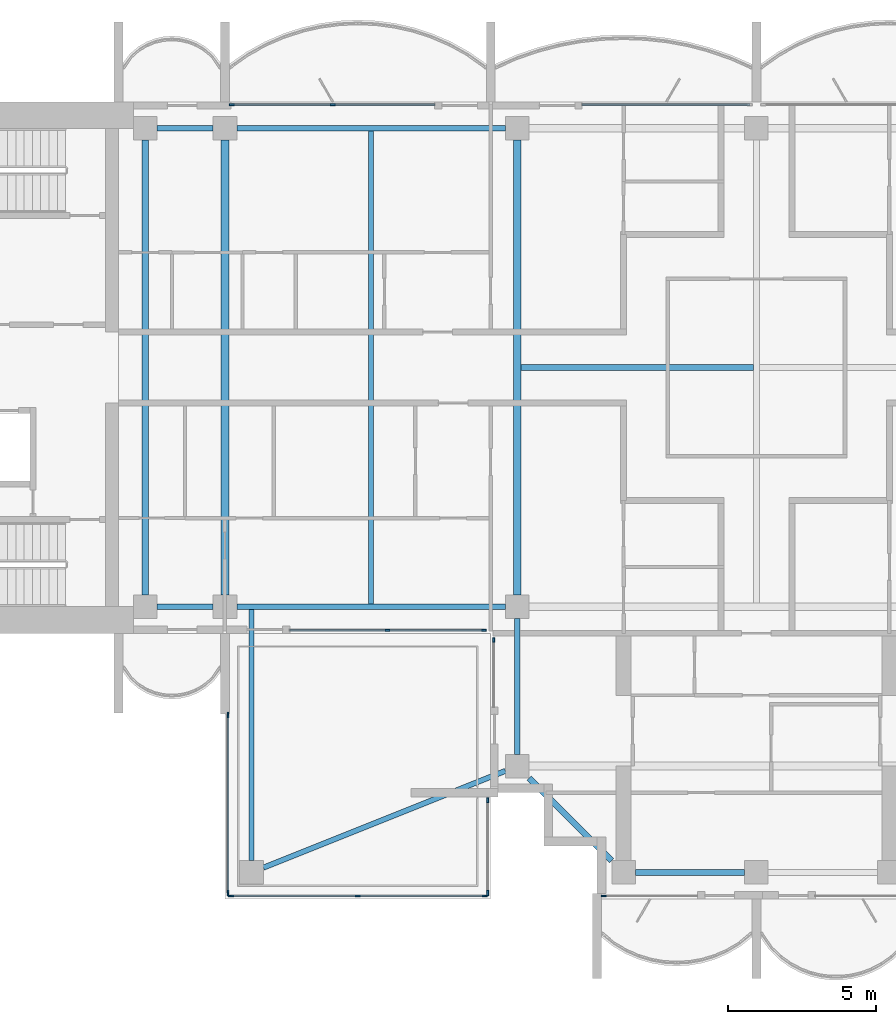
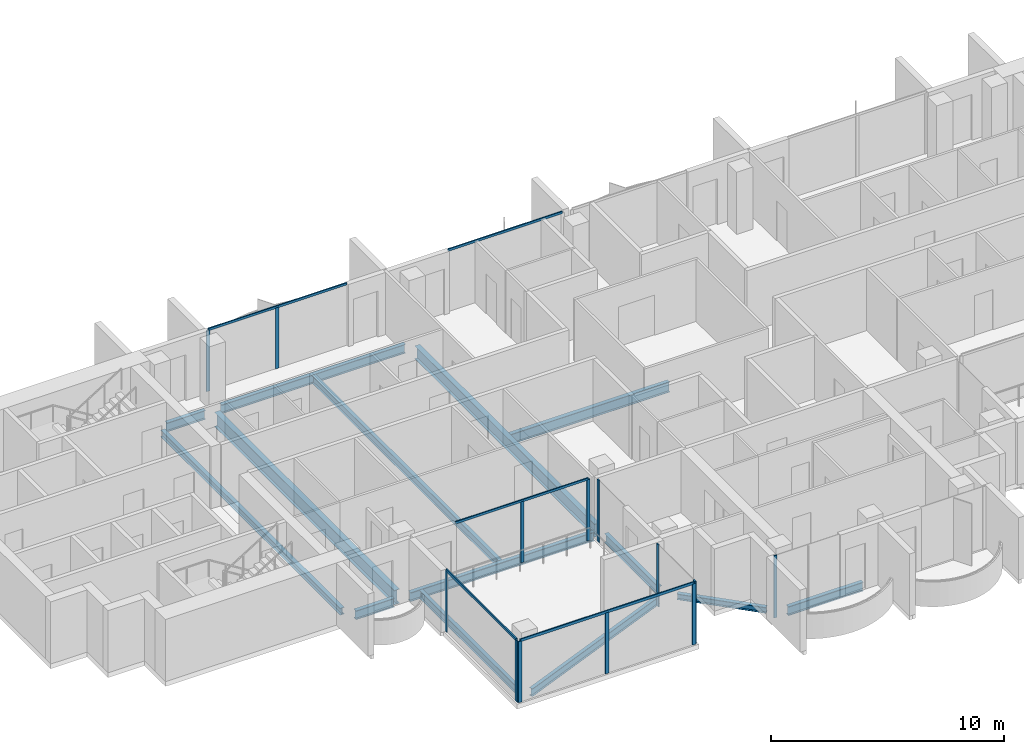
# One storey, part 2 of 16: 18 members, 14 beams, 8 elements without a shape of their own.
"""IFC4 building model written with IfcOpenShell, lengths in metres."""

from ifc_helpers import new_model, si_unit, direction, frame, origin, origin_2d, place, context, subcontext, project, spatial, rectangle, i_section, extrude, material, material_profile, profile_set, type_object, element, aggregate, save


model = new_model("IFC4")

# Units and contexts
model_context = context("Model", 3, precision=1e-05, world=origin(), true_north=direction((0.0, 1.0)))
body_context = subcontext(model_context, "Body", "Model", "MODEL_VIEW")
ifc_project = project(units=[si_unit("LENGTHUNIT", "METRE"), si_unit("AREAUNIT", "SQUARE_METRE"), si_unit("VOLUMEUNIT", "CUBIC_METRE"), si_unit("PLANEANGLEUNIT", "RADIAN"), si_unit("MASSUNIT", "GRAM", prefix="KILO")], contexts=[model_context])

# Site, building, storey
site_placement = place(None, origin())
site = spatial("IfcSite", under=ifc_project, at=site_placement, CompositionType="ELEMENT")
building_placement = place(site_placement, origin())
building = spatial("IfcBuilding", under=site, at=building_placement, Name="Perihelion Cross Residences", CompositionType="ELEMENT")
storey_placement = place(building_placement, frame((0.0, 0.0, 246.5)))
storey = spatial("IfcBuildingStorey", under=building, at=storey_placement, Name="L62", CompositionType="ELEMENT", Elevation=246.5)

# Curtain wall, members
ifc_material_1 = material(Name="Bronze anodised aluminium, tinted glazing", Category="aluminium")
curtain_wall_type_1 = type_object("IfcCurtainWallType", Name="CW1", PredefinedType="NOTDEFINED", material=ifc_material_1)
curtain_wall_1_placement = place(storey_placement, origin())
curtain_wall_1 = element("IfcCurtainWall", 1, at=curtain_wall_1_placement, inside=storey, type_object=curtain_wall_type_1, Name="Curtain wall CW1 L62 west side north bay 1", PredefinedType="NOTDEFINED")
ifc_material_2 = material(Name="Bronze anodised aluminium", Category="aluminium")
ifc_material_profile_1 = material_profile(ifc_material_2, rectangle(XDim=0.06005859375, YDim=0.159912109375, at=origin_2d()), Name="CW1 mullion")
ifc_profile_set_1 = profile_set([ifc_material_profile_1], Name="Bronze anodised aluminium")
member_type_1 = type_object("IfcMemberType", Name="CW1 mullion", PredefinedType="MULLION", material=ifc_profile_set_1)
member_1_placement = place(storey_placement, frame((-14.35009765625, 8.89990234375, 0.0), z_axis=(0.0, 0.0, 1.0), x_axis=(0.0, -1.0, 0.0)))
member_1 = element("IfcMember", 2, at=member_1_placement, type_object=member_type_1, Name="CW1 mullion 2", PredefinedType="MULLION", context=body_context, shape_type="SweptSolid", body=[
    extrude(rectangle(XDim=0.06005859375, YDim=0.159912109375, at=origin_2d()), origin(), (0.0, 0.0, 1.0), 3.18994140625),
])
member_2_placement = place(storey_placement, frame((-17.77001953125, 8.89990234375, 0.0), z_axis=(0.0, 0.0, 1.0), x_axis=(0.0, -1.0, 0.0)))
member_2 = element("IfcMember", 3, at=member_2_placement, type_object=member_type_1, Name="CW1 mullion 3", PredefinedType="MULLION", context=body_context, shape_type="SweptSolid", body=[
    extrude(rectangle(XDim=0.06005859375, YDim=0.159912109375, at=origin_2d()), origin(), (0.0, 0.0, 1.0), 3.18994140625),
])

curtain_wall_2_placement = place(storey_placement, origin())
curtain_wall_2 = element("IfcCurtainWall", 4, at=curtain_wall_2_placement, inside=storey, type_object=curtain_wall_type_1, Name="Curtain wall CW1 L62 west side south bay 2", PredefinedType="NOTDEFINED")
member_3_placement = place(storey_placement, frame((-12.5, -8.89990234375, 0.0), z_axis=(0.0, 0.0, 1.0), x_axis=(0.0, 1.0, 0.0)))
member_3 = element("IfcMember", 5, at=member_3_placement, type_object=member_type_1, Name="CW1 mullion 2", PredefinedType="MULLION", context=body_context, shape_type="SweptSolid", body=[
    extrude(rectangle(XDim=0.06005859375, YDim=0.159912109375, at=origin_2d()), origin(), (0.0, 0.0, 1.0), 3.18994140625),
])
member_4_placement = place(storey_placement, frame((-9.22998046875, -8.89990234375, 0.0), z_axis=(0.0, 0.0, 1.0), x_axis=(0.0, 1.0, 0.0)))
member_4 = element("IfcMember", 6, at=member_4_placement, type_object=member_type_1, Name="CW1 mullion 3", PredefinedType="MULLION", context=body_context, shape_type="SweptSolid", body=[
    extrude(rectangle(XDim=0.06005859375, YDim=0.159912109375, at=origin_2d()), origin(), (0.0, 0.0, 1.0), 3.18994140625),
])

# Curtain wall, member
curtain_wall_3_placement = place(storey_placement, origin())
curtain_wall_3 = element("IfcCurtainWall", 7, at=curtain_wall_3_placement, inside=storey, type_object=curtain_wall_type_1, Name="Curtain wall CW1 L62 south side west bay 1", PredefinedType="NOTDEFINED")
member_5_placement = place(storey_placement, frame((-8.89990234375, -9.22998046875, 0.0), z_axis=(0.0, 0.0, 1.0), x_axis=(1.0, 0.0, 0.0)))
member_5 = element("IfcMember", 8, at=member_5_placement, type_object=member_type_1, Name="CW1 mullion 1", PredefinedType="MULLION", context=body_context, shape_type="SweptSolid", body=[
    extrude(rectangle(XDim=0.06005859375, YDim=0.159912109375, at=origin_2d()), origin(), (0.0, 0.0, 1.0), 3.25),
])
aggregate(curtain_wall_3, [member_5])

curtain_wall_4_placement = place(storey_placement, origin())
curtain_wall_4 = element("IfcCurtainWall", 9, at=curtain_wall_4_placement, inside=storey, type_object=curtain_wall_type_1, Name="Curtain wall CW1 L62 south tip south bay 1", PredefinedType="NOTDEFINED")
member_6_placement = place(storey_placement, frame((-5.169921875, -17.89990234375, 0.0), z_axis=(0.0, 0.0, 1.0), x_axis=(0.0, 1.0, 0.0)))
member_6 = element("IfcMember", 10, at=member_6_placement, type_object=member_type_1, Name="CW1 mullion 1", PredefinedType="MULLION", context=body_context, shape_type="SweptSolid", body=[
    extrude(rectangle(XDim=0.06005859375, YDim=0.159912109375, at=origin_2d()), origin(), (0.0, 0.0, 1.0), 3.25),
])
aggregate(curtain_wall_4, [member_6])

curtain_wall_5_placement = place(storey_placement, origin())
curtain_wall_5 = element("IfcCurtainWall", 11, at=curtain_wall_5_placement, inside=storey, type_object=curtain_wall_type_1, Name="Curtain wall CW1 L62 north side east bay 2", PredefinedType="NOTDEFINED")
ifc_material_3 = material(Name="Bronze anodised aluminium", Category="aluminium")
ifc_material_profile_2 = material_profile(ifc_material_3, rectangle(XDim=0.06005859375, YDim=0.1201171875, at=origin_2d()), Name="CW1 transom")
ifc_profile_set_2 = profile_set([ifc_material_profile_2], Name="Bronze anodised aluminium")
member_type_2 = type_object("IfcMemberType", Name="CW1 transom", PredefinedType="USERDEFINED", material=ifc_profile_set_2)
member_7_placement = place(storey_placement, frame((-0.22998046875, 8.89990234375, 3.219970703125), z_axis=(-1.0, 0.0, 0.0), x_axis=(0.0, -1.0, 0.0)))
member_7 = element("IfcMember", 12, at=member_7_placement, type_object=member_type_2, Name="CW1 head transom", ObjectType="TRANSOM", PredefinedType="USERDEFINED", context=body_context, shape_type="SweptSolid", body=[
    extrude(rectangle(XDim=0.06005859375, YDim=0.1201171875, at=origin_2d()), origin(), (0.0, 0.0, 1.0), 5.669921875),
])
aggregate(curtain_wall_5, [member_7])

# Member
member_8_placement = place(storey_placement, frame((-10.89990234375, 8.89990234375, 3.219970703125), z_axis=(-1.0, 0.0, 0.0), x_axis=(0.0, -1.0, 0.0)))
member_8 = element("IfcMember", 13, at=member_8_placement, type_object=member_type_2, Name="CW1 head transom", ObjectType="TRANSOM", PredefinedType="USERDEFINED", context=body_context, shape_type="SweptSolid", body=[
    extrude(rectangle(XDim=0.06005859375, YDim=0.1201171875, at=origin_2d()), origin(), (0.0, 0.0, 1.0), 6.8701171875),
])

aggregate(curtain_wall_1, [member_1, member_2, member_8])

member_9_placement = place(storey_placement, frame((-15.800048828125, -8.89990234375, 3.219970703125), z_axis=(1.0, 0.0, 0.0), x_axis=(0.0, 1.0, 0.0)))
member_9 = element("IfcMember", 14, at=member_9_placement, type_object=member_type_2, Name="CW1 head transom", ObjectType="TRANSOM", PredefinedType="USERDEFINED", context=body_context, shape_type="SweptSolid", body=[
    extrude(rectangle(XDim=0.06005859375, YDim=0.1201171875, at=origin_2d()), origin(), (0.0, 0.0, 1.0), 6.570068359375),
])

aggregate(curtain_wall_2, [member_3, member_4, member_9])

# Curtain wall, members
ifc_material_4 = material(Name="Bronze anodised aluminium, tinted glazing", Category="aluminium")
curtain_wall_type_2 = type_object("IfcCurtainWallType", Name="CW4", PredefinedType="NOTDEFINED", material=ifc_material_4)
curtain_wall_6_placement = place(storey_placement, origin())
curtain_wall_6 = element("IfcCurtainWall", 15, at=curtain_wall_6_placement, inside=storey, type_object=curtain_wall_type_2, Name="Curtain wall CW4 L62 pocket south-west 1 1", PredefinedType="NOTDEFINED")
ifc_material_5 = material(Name="Bronze anodised aluminium", Category="aluminium")
ifc_material_profile_3 = material_profile(ifc_material_5, rectangle(XDim=0.06005859375, YDim=0.179931640625, at=origin_2d()), Name="CW4 mullion")
ifc_profile_set_3 = profile_set([ifc_material_profile_3], Name="Bronze anodised aluminium")
member_type_3 = type_object("IfcMemberType", Name="CW4 mullion", PredefinedType="MULLION", material=ifc_profile_set_3)
member_10_placement = place(storey_placement, frame((-9.10009765625, -14.658935546875, 0.0), z_axis=(0.0, 0.0, 1.0), x_axis=(1.0, 0.0, 0.0)))
member_10 = element("IfcMember", 16, at=member_10_placement, type_object=member_type_3, Name="CW4 mullion 1", PredefinedType="MULLION", context=body_context, shape_type="SweptSolid", body=[
    extrude(rectangle(XDim=0.06005859375, YDim=0.179931640625, at=origin_2d()), origin(), (0.0, 0.0, 1.0), 3.25),
])
member_11_placement = place(storey_placement, frame((-9.10009765625, -17.800048828125, 0.0), z_axis=(0.0, 0.0, 1.0), x_axis=(1.0, 0.0, 0.0)))
member_11 = element("IfcMember", 17, at=member_11_placement, type_object=member_type_3, Name="CW4 mullion 2", PredefinedType="MULLION", context=body_context, shape_type="SweptSolid", body=[
    extrude(rectangle(XDim=0.06005859375, YDim=0.179931640625, at=origin_2d()), origin(), (0.0, 0.0, 1.0), 3.25),
])
aggregate(curtain_wall_6, [member_10, member_11])

curtain_wall_7_placement = place(storey_placement, origin())
curtain_wall_7 = element("IfcCurtainWall", 18, at=curtain_wall_7_placement, inside=storey, type_object=curtain_wall_type_2, Name="Curtain wall CW4 L62 pocket south-west 1 2", PredefinedType="NOTDEFINED")
member_12_placement = place(storey_placement, frame((-9.199951171875, -17.89990234375, 0.0), z_axis=(0.0, 0.0, 1.0), x_axis=(0.0, -1.0, 0.0)))
member_12 = element("IfcMember", 19, at=member_12_placement, type_object=member_type_3, Name="CW4 mullion 1", PredefinedType="MULLION", context=body_context, shape_type="SweptSolid", body=[
    extrude(rectangle(XDim=0.06005859375, YDim=0.179931640625, at=origin_2d()), origin(), (0.0, 0.0, 1.0), 3.18994140625),
])
member_13_placement = place(storey_placement, frame((-13.5, -17.89990234375, 0.0), z_axis=(0.0, 0.0, 1.0), x_axis=(0.0, -1.0, 0.0)))
member_13 = element("IfcMember", 20, at=member_13_placement, type_object=member_type_3, Name="CW4 mullion 2", PredefinedType="MULLION", context=body_context, shape_type="SweptSolid", body=[
    extrude(rectangle(XDim=0.06005859375, YDim=0.179931640625, at=origin_2d()), origin(), (0.0, 0.0, 1.0), 3.18994140625),
])
member_14_placement = place(storey_placement, frame((-17.800048828125, -17.89990234375, 0.0), z_axis=(0.0, 0.0, 1.0), x_axis=(0.0, -1.0, 0.0)))
member_14 = element("IfcMember", 21, at=member_14_placement, type_object=member_type_3, Name="CW4 mullion 3", PredefinedType="MULLION", context=body_context, shape_type="SweptSolid", body=[
    extrude(rectangle(XDim=0.06005859375, YDim=0.179931640625, at=origin_2d()), origin(), (0.0, 0.0, 1.0), 3.18994140625),
])

curtain_wall_8_placement = place(storey_placement, origin())
curtain_wall_8 = element("IfcCurtainWall", 22, at=curtain_wall_8_placement, inside=storey, type_object=curtain_wall_type_2, Name="Curtain wall CW4 L62 pocket south-west 1 3", PredefinedType="NOTDEFINED")
member_15_placement = place(storey_placement, frame((-17.89990234375, -17.800048828125, 0.0), z_axis=(0.0, 0.0, 1.0), x_axis=(-1.0, 0.0, 0.0)))
member_15 = element("IfcMember", 23, at=member_15_placement, type_object=member_type_3, Name="CW4 mullion 1", PredefinedType="MULLION", context=body_context, shape_type="SweptSolid", body=[
    extrude(rectangle(XDim=0.06005859375, YDim=0.179931640625, at=origin_2d()), origin(), (0.0, 0.0, 1.0), 3.18994140625),
])
member_16_placement = place(storey_placement, frame((-17.89990234375, -11.77001953125, 0.0), z_axis=(0.0, 0.0, 1.0), x_axis=(-1.0, 0.0, 0.0)))
member_16 = element("IfcMember", 24, at=member_16_placement, type_object=member_type_3, Name="CW4 mullion 2", PredefinedType="MULLION", context=body_context, shape_type="SweptSolid", body=[
    extrude(rectangle(XDim=0.06005859375, YDim=0.179931640625, at=origin_2d()), origin(), (0.0, 0.0, 1.0), 3.18994140625),
])

# Member
ifc_material_6 = material(Name="Bronze anodised aluminium", Category="aluminium")
ifc_material_profile_4 = material_profile(ifc_material_6, rectangle(XDim=0.06005859375, YDim=0.139892578125, at=origin_2d()), Name="CW4 transom")
ifc_profile_set_4 = profile_set([ifc_material_profile_4], Name="Bronze anodised aluminium")
member_type_4 = type_object("IfcMemberType", Name="CW4 transom", PredefinedType="USERDEFINED", material=ifc_profile_set_4)
member_17_placement = place(storey_placement, frame((-9.199951171875, -17.89990234375, 3.219970703125), z_axis=(-1.0, 0.0, 0.0), x_axis=(0.0, -1.0, 0.0)))
member_17 = element("IfcMember", 25, at=member_17_placement, type_object=member_type_4, Name="CW4 head transom", ObjectType="TRANSOM", PredefinedType="USERDEFINED", context=body_context, shape_type="SweptSolid", body=[
    extrude(rectangle(XDim=0.06005859375, YDim=0.139892578125, at=origin_2d()), origin(), (0.0, 0.0, 1.0), 8.60009765625),
])

aggregate(curtain_wall_7, [member_12, member_13, member_14, member_17])

member_18_placement = place(storey_placement, frame((-17.89990234375, -17.800048828125, 3.219970703125), z_axis=(0.0, 1.0, 0.0), x_axis=(-1.0, 0.0, 0.0)))
member_18 = element("IfcMember", 26, at=member_18_placement, type_object=member_type_4, Name="CW4 head transom", ObjectType="TRANSOM", PredefinedType="USERDEFINED", context=body_context, shape_type="SweptSolid", body=[
    extrude(rectangle(XDim=0.06005859375, YDim=0.139892578125, at=origin_2d()), origin(), (0.0, 0.0, 1.0), 6.030029296875),
])

aggregate(curtain_wall_8, [member_15, member_16, member_18])

# Beams
ifc_material_7 = material(Name="Steel S355", Category="steel")
ifc_material_profile_5 = material_profile(ifc_material_7, i_section(OverallWidth=0.205078125, OverallDepth=0.35302734375, WebThickness=0.009521484375, FlangeThickness=0.016845703125, at=origin_2d()), Name="W360x79")
ifc_profile_set_5 = profile_set([ifc_material_profile_5], Name="Steel S355")
beam_type_1 = type_object("IfcBeamType", Name="Core edge beam W360x79", PredefinedType="BEAM", material=ifc_profile_set_5)
beam_1_placement = place(storey_placement, frame((-20.699951171875, -7.699951171875, -0.426513671875), z_axis=(0.0, 1.0, 0.0), x_axis=(-1.0, 0.0, 0.0)))
element("IfcBeam", 27, at=beam_1_placement, inside=storey, type_object=beam_type_1, Name="Core edge beam TB7 L62 no. 1", PredefinedType="BEAM", context=body_context, shape_type="SweptSolid", body=[
    extrude(i_section(OverallWidth=0.205078125, OverallDepth=0.35302734375, WebThickness=0.009521484375, FlangeThickness=0.016845703125, at=origin_2d()), origin(), (0.0, 0.0, 1.0), 15.39990234375),
])
ifc_material_8 = material(Name="Steel S355", Category="steel")
ifc_material_profile_6 = material_profile(ifc_material_8, i_section(OverallWidth=0.177978515625, OverallDepth=0.406005859375, WebThickness=0.0078125, FlangeThickness=0.0126953125, at=origin_2d()), Name="W410x60")
ifc_profile_set_6 = profile_set([ifc_material_profile_6], Name="Steel S355")
beam_type_2 = type_object("IfcBeamType", Name="Core edge beam W410x60", PredefinedType="BEAM", material=ifc_profile_set_6)
beam_2_placement = place(storey_placement, frame((-17.10009765625, -8.197021484375, -0.452880859375), z_axis=(0.0, -1.0, 0.0), x_axis=(1.0, 0.0, 0.0)))
element("IfcBeam", 28, at=beam_2_placement, inside=storey, type_object=beam_type_2, Name="Core edge beam TB2 L62 corner no. 1", PredefinedType="BEAM", context=body_context, shape_type="SweptSolid", body=[
    extrude(i_section(OverallWidth=0.177978515625, OverallDepth=0.406005859375, WebThickness=0.0078125, FlangeThickness=0.0126953125, at=origin_2d()), origin(), (0.0, 0.0, 1.0), 8.5029296875),
])
beam_3_placement = place(storey_placement, frame((-8.5, -13.659912109375, -0.452880859375), z_axis=(-0.928474784399, -0.371395442534, 0.0), x_axis=(0.371395442534, -0.928474784399, 0.0)))
element("IfcBeam", 29, at=beam_3_placement, inside=storey, type_object=beam_type_2, Name="Core edge beam TB2 L62 corner no. 2", PredefinedType="BEAM", context=body_context, shape_type="SweptSolid", body=[
    extrude(i_section(OverallWidth=0.177978515625, OverallDepth=0.406005859375, WebThickness=0.0078125, FlangeThickness=0.0126953125, at=origin_2d()), origin(), (0.0, 0.0, 1.0), 8.83154296875),
])
ifc_material_9 = material(Name="Steel S355", Category="steel")
ifc_material_profile_7 = material_profile(ifc_material_9, i_section(OverallWidth=0.194091796875, OverallDepth=0.469970703125, WebThickness=0.0126953125, FlangeThickness=0.0205078125, at=origin_2d()), Name="W460x106")
ifc_profile_set_7 = profile_set([ifc_material_profile_7], Name="Steel S355")
beam_type_3 = type_object("IfcBeamType", Name="Edge beam W460x106", PredefinedType="SPANDREL", material=ifc_profile_set_7)
beam_4_placement = place(storey_placement, frame((-8.5, 8.10009765625, -0.485107421875), z_axis=(-1.0, 0.0, 0.0), x_axis=(0.0, -1.0, 0.0)))
element("IfcBeam", 30, at=beam_4_placement, inside=storey, type_object=beam_type_3, Name="Edge beam SB5 L62 no. 6", PredefinedType="SPANDREL", context=body_context, shape_type="SweptSolid", body=[
    extrude(i_section(OverallWidth=0.194091796875, OverallDepth=0.469970703125, WebThickness=0.0126953125, FlangeThickness=0.0205078125, at=origin_2d()), origin(), (0.0, 0.0, 1.0), 9.10009765625),
])
for number, where, z_axis, x_axis, name in (
    (31, (-18.39990234375, 8.10009765625, -0.485107421875), (-1.0, 0.0, 0.0), (0.0, -1.0, 0.0), "Edge beam SB5 L62 no. 2"),
    (32, (-20.300048828125, -8.10009765625, -0.485107421875), (1.0, 0.0, 0.0), (0.0, 1.0, 0.0), "Edge beam SB5 L62 no. 3"),
):
    element("IfcBeam", number, at=place(storey_placement, frame(where, z_axis=z_axis, x_axis=x_axis)), inside=storey, type_object=beam_type_3, Name=name, PredefinedType="SPANDREL", context=body_context, shape_type="SweptSolid", body=[
        extrude(i_section(OverallWidth=0.194091796875, OverallDepth=0.469970703125, WebThickness=0.0126953125, FlangeThickness=0.0205078125, at=origin_2d()), origin(), (0.0, 0.0, 1.0), 1.900146484375),
    ])
beam_5_placement = place(storey_placement, frame((-17.60009765625, -8.10009765625, -0.485107421875), z_axis=(1.0, 0.0, 0.0), x_axis=(0.0, 1.0, 0.0)))
element("IfcBeam", 33, at=beam_5_placement, inside=storey, type_object=beam_type_3, Name="Edge beam SB5 L62 no. 1", PredefinedType="SPANDREL", context=body_context, shape_type="SweptSolid", body=[
    extrude(i_section(OverallWidth=0.194091796875, OverallDepth=0.469970703125, WebThickness=0.0126953125, FlangeThickness=0.0205078125, at=origin_2d()), origin(), (0.0, 0.0, 1.0), 9.10009765625),
])
beam_6_placement = place(storey_placement, frame((-8.10009765625, -8.5, -0.485107421875), z_axis=(0.0, -1.0, 0.0), x_axis=(1.0, 0.0, 0.0)))
element("IfcBeam", 34, at=beam_6_placement, inside=storey, type_object=beam_type_3, Name="Edge beam SB5 L62 no. 5", PredefinedType="SPANDREL", context=body_context, shape_type="SweptSolid", body=[
    extrude(i_section(OverallWidth=0.194091796875, OverallDepth=0.469970703125, WebThickness=0.0126953125, FlangeThickness=0.0205078125, at=origin_2d()), origin(), (0.0, 0.0, 1.0), 4.60009765625),
])
beam_7_placement = place(storey_placement, frame((-4.10009765625, -17.10009765625, -0.485107421875), z_axis=(1.0, 0.0, 0.0), x_axis=(0.0, 1.0, 0.0)))
element("IfcBeam", 35, at=beam_7_placement, inside=storey, type_object=beam_type_3, Name="Edge beam SB5 L62 no. 4", PredefinedType="SPANDREL", context=body_context, shape_type="SweptSolid", body=[
    extrude(i_section(OverallWidth=0.194091796875, OverallDepth=0.469970703125, WebThickness=0.0126953125, FlangeThickness=0.0205078125, at=origin_2d()), origin(), (0.0, 0.0, 1.0), 3.7001953125),
])
ifc_material_10 = material(Name="Steel S355", Category="steel")
ifc_material_profile_8 = material_profile(ifc_material_10, i_section(OverallWidth=0.26708984375, OverallDepth=0.75390625, WebThickness=0.01318359375, FlangeThickness=0.01708984375, at=origin_2d()), Name="W760x147")
ifc_profile_set_8 = profile_set([ifc_material_profile_8], Name="Steel S355")
beam_type_4 = type_object("IfcBeamType", Name="Floor girder W760x147", PredefinedType="BEAM", material=ifc_profile_set_8)
beam_8_placement = place(storey_placement, frame((-18.0, -7.699951171875, -0.626953125), z_axis=(0.0, 1.0, 0.0), x_axis=(-1.0, 0.0, 0.0)))
element("IfcBeam", 36, at=beam_8_placement, inside=storey, type_object=beam_type_4, Name="Girder G5 L62 no. 1", PredefinedType="BEAM", context=body_context, shape_type="SweptSolid", body=[
    extrude(i_section(OverallWidth=0.26708984375, OverallDepth=0.75390625, WebThickness=0.01318359375, FlangeThickness=0.01708984375, at=origin_2d()), origin(), (0.0, 0.0, 1.0), 15.39990234375),
])
ifc_material_11 = material(Name="Steel S355", Category="steel")
ifc_material_profile_9 = material_profile(ifc_material_11, i_section(OverallWidth=0.177978515625, OverallDepth=0.406005859375, WebThickness=0.0078125, FlangeThickness=0.0126953125, at=origin_2d()), Name="W410x60")
ifc_profile_set_9 = profile_set([ifc_material_profile_9], Name="Steel S355")
beam_type_5 = type_object("IfcBeamType", Name="Floor joist W410x60", PredefinedType="JOIST", material=ifc_profile_set_9)
beam_9_placement = place(storey_placement, frame((-13.050048828125, -8.0029296875, -0.452880859375), z_axis=(0.0, 1.0, 0.0), x_axis=(-1.0, 0.0, 0.0)))
element("IfcBeam", 37, at=beam_9_placement, inside=storey, type_object=beam_type_5, Name="Joist J6 L62 no. 1", PredefinedType="JOIST", context=body_context, shape_type="SweptSolid", body=[
    extrude(i_section(OverallWidth=0.177978515625, OverallDepth=0.406005859375, WebThickness=0.0078125, FlangeThickness=0.0126953125, at=origin_2d()), origin(), (0.0, 0.0, 1.0), 16.005859375),
])
ifc_material_12 = material(Name="Steel S355", Category="steel")
ifc_material_profile_10 = material_profile(ifc_material_12, i_section(OverallWidth=0.208984375, OverallDepth=0.532958984375, WebThickness=0.01025390625, FlangeThickness=0.015625, at=origin_2d()), Name="W530x92")
ifc_profile_set_10 = profile_set([ifc_material_profile_10], Name="Steel S355")
beam_type_6 = type_object("IfcBeamType", Name="Hub cross beam W530x92", PredefinedType="BEAM", material=ifc_profile_set_10)
beam_10_placement = place(storey_placement, frame((-7.972900390625, 0.0, -0.5166015625), z_axis=(1.0, 0.0, 0.0), x_axis=(0.0, 1.0, 0.0)))
element("IfcBeam", 38, at=beam_10_placement, inside=storey, type_object=beam_type_6, Name="Hub cross beam XB5 L62 1 no. 1", PredefinedType="BEAM", context=body_context, shape_type="SweptSolid", body=[
    extrude(i_section(OverallWidth=0.208984375, OverallDepth=0.532958984375, WebThickness=0.01025390625, FlangeThickness=0.015625, at=origin_2d()), origin(), (0.0, 0.0, 1.0), 7.868408203125),
])
ifc_material_13 = material(Name="Steel S355", Category="steel")
ifc_material_profile_11 = material_profile(ifc_material_13, i_section(OverallWidth=0.25390625, OverallDepth=0.677978515625, WebThickness=0.01171875, FlangeThickness=0.016357421875, at=origin_2d()), Name="W690x125")
ifc_profile_set_11 = profile_set([ifc_material_profile_11], Name="Steel S355")
beam_type_7 = type_object("IfcBeamType", Name="Hub ring girder W690x125", PredefinedType="BEAM", material=ifc_profile_set_11)
beam_11_placement = place(storey_placement, frame((-8.10009765625, 7.699951171875, -0.589111328125), z_axis=(0.0, -1.0, 0.0), x_axis=(1.0, 0.0, 0.0)))
element("IfcBeam", 39, at=beam_11_placement, inside=storey, type_object=beam_type_7, Name="Hub ring girder RG5 L62 no. 2", PredefinedType="BEAM", context=body_context, shape_type="SweptSolid", body=[
    extrude(i_section(OverallWidth=0.25390625, OverallDepth=0.677978515625, WebThickness=0.01171875, FlangeThickness=0.016357421875, at=origin_2d()), origin(), (0.0, 0.0, 1.0), 15.39990234375),
])
ifc_material_14 = material(Name="Steel S355", Category="steel")
ifc_material_profile_12 = material_profile(ifc_material_14, i_section(OverallWidth=0.202880859375, OverallDepth=0.302001953125, WebThickness=0.007568359375, FlangeThickness=0.01318359375, at=origin_2d()), Name="W310x60")
ifc_profile_set_12 = profile_set([ifc_material_profile_12], Name="Steel S355")
beam_type_8 = type_object("IfcBeamType", Name="Serration edge beam W310x60", PredefinedType="BEAM", material=ifc_profile_set_12)
beam_12_placement = place(storey_placement, frame((-7.699951171875, -13.89990234375, -0.40087890625), z_axis=(0.707106781187, -0.707106781187, 0.0), x_axis=(0.707106781187, 0.707106781187, 0.0)))
element("IfcBeam", 40, at=beam_12_placement, inside=storey, type_object=beam_type_8, Name="Serration edge beam EB5 L62 no. 1", PredefinedType="BEAM", context=body_context, shape_type="SweptSolid", body=[
    extrude(i_section(OverallWidth=0.202880859375, OverallDepth=0.302001953125, WebThickness=0.007568359375, FlangeThickness=0.01318359375, at=origin_2d()), origin(), (0.0, 0.0, 1.0), 3.9599609375),
])

save(model, "model.ifc")
